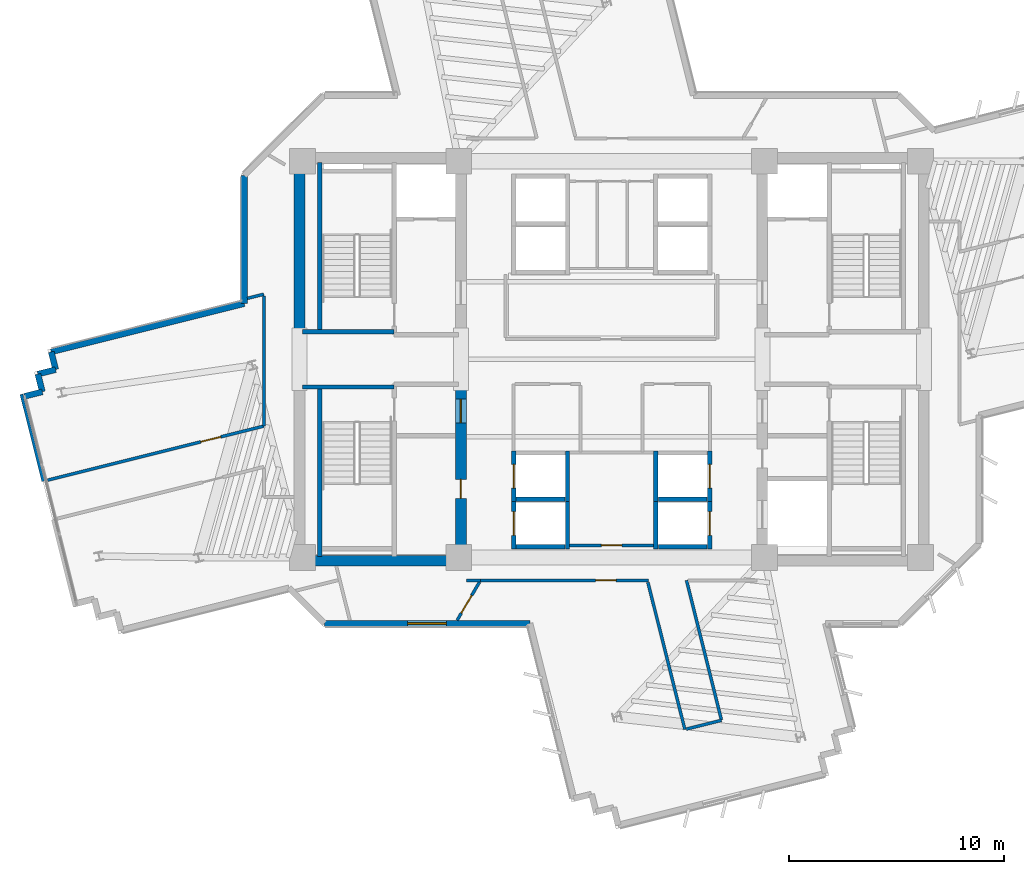
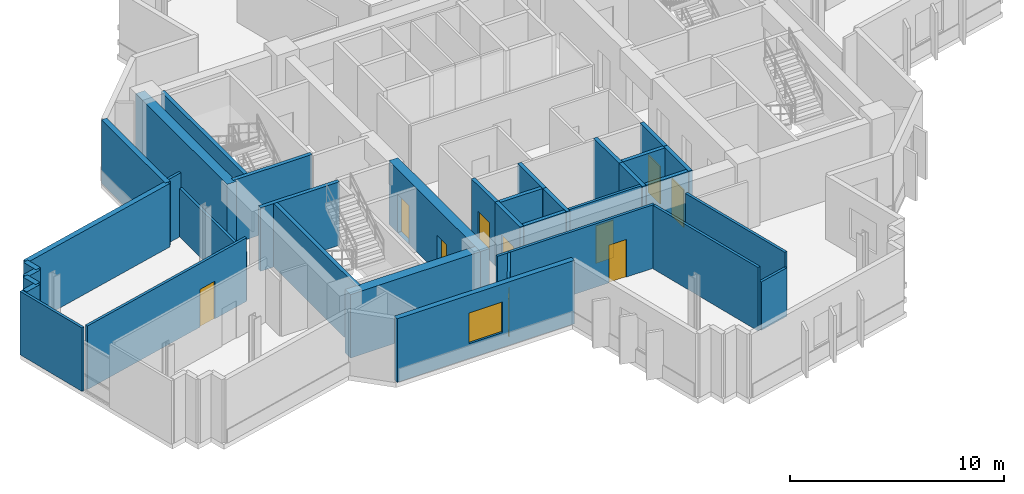
# One storey, part 6 of 13: 37 walls, 10 doors, 1 window, 11 openings.
"""IFC4 building model written with IfcOpenShell, lengths in metres."""

import ifcopenshell
import ifcopenshell.guid

model = None  # the IFC model being written
_history = None  # IfcOwnerHistory: only IFC2X3 demands one
_inside = {}  # id of a spatial element -> (the spatial element, [elements in it])
_under = {}  # id of a project, library or spatial element -> (it, [spatial elements below it])
_declared = {}  # id of a project -> (the project, [libraries it declares])
_typed = {}  # id of a type object -> (the type object, [elements of that type])
_made_of = {}  # id of a material, layer set ... -> (it, [elements and type objects made of it])


def new_model(schema):
    """Start an empty IFC model of exactly this schema.

    Asked for "IFC4X3", IfcOpenShell would pick the latest addendum, in which some entities
    have other attributes; the version numbers below select the first issue.
    IFC2X3 requires an IfcOwnerHistory on every rooted entity: one is made here for all.
    """
    global model, _history
    if schema == "IFC4X3":
        model = ifcopenshell.file(schema_version=(4, 3, 0, 0))
    else:
        model = ifcopenshell.file(schema=schema)
    _inside.clear()
    _under.clear()
    _declared.clear()
    _typed.clear()
    _made_of.clear()
    _history = None
    if model.schema == "IFC2X3":
        org = make("IfcOrganization", Name="unknown")
        user = make(
            "IfcPersonAndOrganization",
            ThePerson=make("IfcPerson", FamilyName="unknown"),
            TheOrganization=org,
        )
        app = make(
            "IfcApplication",
            ApplicationDeveloper=org,
            Version="unknown",
            ApplicationFullName="unknown",
            ApplicationIdentifier="unknown",
        )
        _history = make(
            "IfcOwnerHistory",
            OwningUser=user,
            OwningApplication=app,
            ChangeAction="ADDED",
            CreationDate=0,
        )
    return model


def make(cls, **values):
    """One entity of the class cls with the attributes given. An attribute that is None is left unset."""
    return model.create_entity(
        cls, **{name: value for name, value in values.items() if value is not None}
    )


def rooted(cls, **values):
    """An entity with a GlobalId (a new one), such as an element, a storey or a relation."""
    return make(cls, GlobalId=ifcopenshell.guid.new(), OwnerHistory=_history, **values)


def si_unit(unit_type, name, prefix=None):
    """IfcSIUnit, for example si_unit("LENGTHUNIT", "METRE", prefix="MILLI")."""
    return make("IfcSIUnit", UnitType=unit_type, Prefix=prefix, Name=name)


def assignment(units):
    """IfcUnitAssignment: the units of a project."""
    return None if units is None else make("IfcUnitAssignment", Units=units)


def point(xyz):
    """IfcCartesianPoint."""
    return None if xyz is None else make("IfcCartesianPoint", Coordinates=xyz)


def direction(xyz):
    """IfcDirection."""
    return None if xyz is None else make("IfcDirection", DirectionRatios=xyz)


def frame(location, z_axis=None, x_axis=None):
    """IfcAxis2Placement3D, a coordinate frame: its origin and axes. An axis left out is left unset."""
    return make(
        "IfcAxis2Placement3D",
        Location=point(location),
        Axis=direction(z_axis),
        RefDirection=direction(x_axis),
    )


def frame_2d(location, x_axis=None):
    """IfcAxis2Placement2D, a coordinate frame in the plane: its origin and x axis."""
    return make(
        "IfcAxis2Placement2D", Location=point(location), RefDirection=direction(x_axis)
    )


def origin():
    """The frame at (0, 0, 0) with its axes left unset."""
    return frame((0.0, 0.0, 0.0))


def place(relative_to, where):
    """IfcLocalPlacement: puts the frame where relative to a parent placement (None: the world)."""
    return make(
        "IfcLocalPlacement", PlacementRelTo=relative_to, RelativePlacement=where
    )


def context(
    kind, dimensions, precision=None, world=None, true_north=None, identifier=None
):
    """IfcGeometricRepresentationContext, for example the 3D "Model" context."""
    return make(
        "IfcGeometricRepresentationContext",
        ContextIdentifier=identifier,
        ContextType=kind,
        CoordinateSpaceDimension=dimensions,
        Precision=precision,
        WorldCoordinateSystem=world,
        TrueNorth=true_north,
    )


def subcontext(parent, identifier, kind, view, scale=None):
    """IfcGeometricRepresentationSubContext, for example "Body" below "Model"."""
    return make(
        "IfcGeometricRepresentationSubContext",
        ContextIdentifier=identifier,
        ContextType=kind,
        ParentContext=parent,
        TargetScale=scale,
        TargetView=view,
    )


def project(units=None, contexts=None):
    """IfcProject with its units and contexts."""
    return rooted(
        "IfcProject",
        Name="project",
        RepresentationContexts=contexts,
        UnitsInContext=assignment(units),
    )


def spatial(cls, under=None, at=None, **own):
    """A site, building, storey or space (cls), placed at a placement, below another one or the project."""
    s = rooted(cls, ObjectPlacement=at, **own)
    if under is not None:
        _under.setdefault(under.id(), (under, []))[1].append(s)
    return s


def profile(cls, at=None, kind="AREA", **sizes):
    """A parametric profile (cls). Its sizes go by their IFC names, for example OverallWidth=200.0."""
    return make(cls, ProfileType=kind, Position=at, **sizes)


def rectangle(**sizes):
    """IfcRectangleProfileDef."""
    return profile("IfcRectangleProfileDef", **sizes)


def extrude(swept, where, along, depth):
    """IfcExtrudedAreaSolid: the profile swept, set in the frame where, extruded along a direction by depth."""
    return make(
        "IfcExtrudedAreaSolid",
        SweptArea=swept,
        Position=where,
        ExtrudedDirection=direction(along),
        Depth=depth,
    )


def shape(context_of_items, identifier, shape_type, items):
    """IfcShapeRepresentation: the items that make up one representation, for example the "Body"."""
    return make(
        "IfcShapeRepresentation",
        ContextOfItems=context_of_items,
        RepresentationIdentifier=identifier,
        RepresentationType=shape_type,
        Items=items,
    )


def source(mapping_origin, context_of_items, identifier, shape_type, items):
    """IfcRepresentationMap: a shape defined once, which mapped items show again and again."""
    return make(
        "IfcRepresentationMap",
        MappingOrigin=mapping_origin,
        MappedRepresentation=shape(context_of_items, identifier, shape_type, items),
    )


def transform(
    local_origin,
    x_axis=None,
    y_axis=None,
    z_axis=None,
    scale=None,
    scale2=None,
    scale3=None,
    uniform=True,
):
    """IfcCartesianTransformationOperator3D, or its non-uniform kind. x_axis, y_axis, z_axis: its Axis1, 2, 3."""
    if uniform:
        return make(
            "IfcCartesianTransformationOperator3D",
            Axis1=direction(x_axis),
            Axis2=direction(y_axis),
            LocalOrigin=point(local_origin),
            Scale=scale,
            Axis3=direction(z_axis),
        )
    return make(
        "IfcCartesianTransformationOperator3DnonUniform",
        Axis1=direction(x_axis),
        Axis2=direction(y_axis),
        LocalOrigin=point(local_origin),
        Scale=scale,
        Axis3=direction(z_axis),
        Scale2=scale2,
        Scale3=scale3,
    )


def mapped(mapping_source, mapping_target):
    """IfcMappedItem: shows the shape of a source again, moved by a transform."""
    return make(
        "IfcMappedItem", MappingSource=mapping_source, MappingTarget=mapping_target
    )


def material(Name=None, Category=None):
    """IfcMaterial."""
    return make("IfcMaterial", Name=Name, Category=Category)


def layer(
    of_material, thickness, ventilated=None, Name=None, Category=None, Priority=None
):
    """IfcMaterialLayer: one layer of a wall or slab, of a material (None: an air gap)."""
    return make(
        "IfcMaterialLayer",
        Material=of_material,
        LayerThickness=thickness,
        IsVentilated=ventilated,
        Name=Name,
        Category=Category,
        Priority=Priority,
    )


def layer_set(layers, Name=None):
    """IfcMaterialLayerSet."""
    return make("IfcMaterialLayerSet", MaterialLayers=layers, LayerSetName=Name)


def made_of(thing, what):
    """Note that an element or type object is made of a material, layer set ...; save() writes the relation."""
    if what is not None:
        _made_of.setdefault(what.id(), (what, []))[1].append(thing)
    return thing


def type_object(cls, material=None, **own):
    """A type object (cls), such as IfcWallType, which elements share."""
    return made_of(rooted(cls, **own), material)


def element(
    cls,
    number,
    at=None,
    inside=None,
    cuts=None,
    type_object=None,
    material=None,
    context=None,
    identifier="Body",
    shape_type=None,
    held_by="IfcProductDefinitionShape",
    body=None,
    shapes=None,
    **own,
):
    """One element of the class cls, such as IfcWall. Its Tag is "e" and its number.

    at: its placement. inside: the storey or other place that contains it. cuts: it is an
    opening in that element (IfcRelVoidsElement). A single representation is given by context,
    identifier, shape_type and body (its items); several are given by shapes. held_by: the class
    of the entity that holds the representations. save() writes the other relations.
    """
    e = rooted(cls, Tag="e%d" % number, ObjectPlacement=at, **own)
    if body is not None:
        shapes = [shape(context, identifier, shape_type, body)]
    if shapes is not None:
        e.Representation = make(held_by, Representations=shapes)
    if inside is not None:
        _inside.setdefault(inside.id(), (inside, []))[1].append(e)
    if cuts is not None:
        rooted(
            "IfcRelVoidsElement", RelatingBuildingElement=cuts, RelatedOpeningElement=e
        )
    if type_object is not None:
        _typed.setdefault(type_object.id(), (type_object, []))[1].append(e)
    return made_of(e, material)


def fill(opening, filler):
    """IfcRelFillsElement: the door or window that sits in an opening."""
    return rooted(
        "IfcRelFillsElement",
        RelatingOpeningElement=opening,
        RelatedBuildingElement=filler,
    )


def aggregate(whole, parts):
    """IfcRelAggregates: a whole, such as a stair, and the parts it consists of."""
    return rooted("IfcRelAggregates", RelatingObject=whole, RelatedObjects=parts)


def save(model, path):
    """Write the relations noted so far, then the file.

    IfcRelAggregates (storeys below a building ...), IfcRelContainedInSpatialStructure (elements
    in a storey), IfcRelDefinesByType, IfcRelAssociatesMaterial and IfcRelDeclares: one each for
    every whole, place, type object, material and project.
    """
    for whole, parts in _under.values():
        aggregate(whole, parts)
    for where, things in _inside.values():
        rooted(
            "IfcRelContainedInSpatialStructure",
            RelatedElements=things,
            RelatingStructure=where,
        )
    for kind, things in _typed.values():
        rooted("IfcRelDefinesByType", RelatedObjects=things, RelatingType=kind)
    for what, things in _made_of.values():
        rooted("IfcRelAssociatesMaterial", RelatedObjects=things, RelatingMaterial=what)
    for by, libraries in _declared.values():
        rooted("IfcRelDeclares", RelatingContext=by, RelatedDefinitions=libraries)
    model.write(path)


model = new_model("IFC4")

# Units and contexts
model_context = context("Model", 3, precision=1e-05, world=origin(), true_north=direction((0.0, 1.0)))
body_context = subcontext(model_context, "Body", "Model", "MODEL_VIEW")
ifc_project = project(units=[si_unit("LENGTHUNIT", "METRE"), si_unit("AREAUNIT", "SQUARE_METRE"), si_unit("VOLUMEUNIT", "CUBIC_METRE"), si_unit("PLANEANGLEUNIT", "RADIAN"), si_unit("MASSUNIT", "GRAM", prefix="KILO")], contexts=[model_context])

# Site, building, storey
site_placement = place(None, origin())
site = spatial("IfcSite", under=ifc_project, at=site_placement, CompositionType="ELEMENT")
building_placement = place(site_placement, origin())
building = spatial("IfcBuilding", under=site, at=building_placement, Name="Zahravan Cultural Tower", CompositionType="ELEMENT")
storey_placement = place(building_placement, frame((0.0, 0.0, 190.199951171875)))
storey = spatial("IfcBuildingStorey", under=building, at=storey_placement, Name="L44", CompositionType="ELEMENT", Elevation=190.199951171875)

# Wall, openings, doors
ifc_material_1 = material(Name="Concrete C60/75", Category="concrete")
ifc_layer_1 = layer(ifc_material_1, 0.5)
ifc_layer_set_1 = layer_set([ifc_layer_1], Name="Concrete C60/75")
wall_type_1 = type_object("IfcWallType", Name="CW-SHEAR-500-C60", PredefinedType="SHEAR", material=ifc_layer_set_1)
wall_1_placement = place(storey_placement, frame((29.0, 17.39990234375, 0.0), z_axis=(0.0, 0.0, 1.0), x_axis=(0.0, 1.0, 0.0)))
wall_1 = element("IfcWall", 1, at=wall_1_placement, inside=storey, type_object=wall_type_1, Name="L44 Core Shear Wall CW-W-ES-L44", PredefinedType="SHEAR", context=body_context, shape_type="SweptSolid", body=[
    extrude(rectangle(XDim=8.550048828125, YDim=0.5, at=frame_2d((4.27490234375, 0.0))), origin(), (0.0, 0.0, 1.0), 3.6201171875),
])
opening_1_placement = place(wall_1_placement, frame((6.64990234375, 0.0, 0.0)))
opening_1 = element("IfcOpeningElement", 2, at=opening_1_placement, cuts=wall_1, Name="Opening D-L44-07", PredefinedType="OPENING", context=body_context, shape_type="SweptSolid", body=[
    extrude(rectangle(XDim=1.10009765625, YDim=2.199951171875, at=frame_2d((0.550048828125, 1.10009765625))), frame((0.0, 0.260009765625, 0.0), z_axis=(0.0, -1.0, 0.0), x_axis=(1.0, 0.0, 0.0)), (0.0, 0.0, 1.0), 0.52001953125),
])
opening_2_placement = place(wall_1_placement, frame((3.14990234375, 0.0, 0.0)))
opening_2 = element("IfcOpeningElement", 3, at=opening_2_placement, cuts=wall_1, Name="Opening D-L44-09", PredefinedType="OPENING", context=body_context, shape_type="SweptSolid", body=[
    extrude(rectangle(XDim=0.8798828125, YDim=2.10009765625, at=frame_2d((0.43994140625, 1.050048828125))), frame((0.0, 0.260009765625, 0.0), z_axis=(0.0, -1.0, 0.0), x_axis=(1.0, 0.0, 0.0)), (0.0, 0.0, 1.0), 0.52001953125),
])
ifc_material_2 = material(Name="Steel ASTM A572 Grade 50", Category="steel")
door_type_1 = type_object("IfcDoorType", Name="DR-LOBBY-1100", OperationType="NOTDEFINED", PredefinedType="DOOR", material=ifc_material_2)
shared_shape_1 = source(origin(), body_context, "Body", "SweptSolid", [
    extrude(rectangle(XDim=1.10009765625, YDim=2.199951171875, at=frame_2d((0.550048828125, 1.10009765625))), frame((0.0, 0.02490234375, 0.0), z_axis=(0.0, -1.0, 0.0), x_axis=(1.0, 0.0, 0.0)), (0.0, 0.0, 1.0), 0.050048828125),
])
door_1_placement = place(opening_1_placement, origin())
door_1 = element("IfcDoor", 4, at=door_1_placement, inside=storey, type_object=door_type_1, Name="L44 Door D-L44-07", OperationType="SINGLE_SWING_RIGHT", OverallHeight=2.199951171875, OverallWidth=1.10009765625, PredefinedType="DOOR", context=body_context, shape_type="MappedRepresentation", body=[
    mapped(shared_shape_1, transform((0.0, 0.0, 0.0), x_axis=(1.0, 0.0, 0.0), y_axis=(0.0, 1.0, 0.0), z_axis=(0.0, 0.0, 1.0), scale=1.0)),
])
fill(opening_1, door_1)
door_type_2 = type_object("IfcDoorType", Name="DR-SVC-880", OperationType="NOTDEFINED", PredefinedType="DOOR", material=ifc_material_2)
shared_shape_2 = source(origin(), body_context, "Body", "SweptSolid", [
    extrude(rectangle(XDim=0.8798828125, YDim=2.10009765625, at=frame_2d((0.43994140625, 1.050048828125))), frame((0.0, 0.02490234375, 0.0), z_axis=(0.0, -1.0, 0.0), x_axis=(1.0, 0.0, 0.0)), (0.0, 0.0, 1.0), 0.050048828125),
])
door_2_placement = place(opening_2_placement, origin())
door_2 = element("IfcDoor", 5, at=door_2_placement, inside=storey, type_object=door_type_2, Name="L44 Door D-L44-09", OperationType="SINGLE_SWING_RIGHT", OverallHeight=2.10009765625, OverallWidth=0.8798828125, PredefinedType="DOOR", context=body_context, shape_type="MappedRepresentation", body=[
    mapped(shared_shape_2, transform((0.0, 0.0, 0.0), x_axis=(1.0, 0.0, 0.0), y_axis=(0.0, 1.0, 0.0), z_axis=(0.0, 0.0, 1.0), scale=1.0)),
])
fill(opening_2, door_2)

# Wall, opening, window
ifc_material_3 = material(Name="Precast concrete C40/50", Category="concrete")
ifc_layer_2 = layer(ifc_material_3, 0.280029296875)
ifc_layer_set_2 = layer_set([ifc_layer_2], Name="Precast concrete C40/50")
wall_type_2 = type_object("IfcWallType", Name="EW-TC-280", PredefinedType="SOLIDWALL", material=ifc_layer_set_2)
wall_2_placement = place(storey_placement, frame((32.204833984375, 14.739990234375, 0.0), z_axis=(0.0, 0.0, 1.0), x_axis=(-1.0, 0.0, 0.0)))
wall_2 = element("IfcWall", 6, at=wall_2_placement, inside=storey, type_object=wall_type_2, Name="L44 Exterior Masonry Frame Wall 25", PredefinedType="SOLIDWALL", context=body_context, shape_type="SweptSolid", body=[
    extrude(rectangle(XDim=9.546875, YDim=0.280029296875, at=frame_2d((4.7734375, 0.0))), origin(), (0.0, 0.0, 1.0), 3.6201171875),
])
opening_3_placement = place(wall_2_placement, frame((3.873046875, 0.0, 0.85009765625)))
opening_3 = element("IfcOpeningElement", 7, at=opening_3_placement, cuts=wall_2, Name="Opening WN-02", PredefinedType="OPENING", context=body_context, shape_type="SweptSolid", body=[
    extrude(rectangle(XDim=1.800048828125, YDim=1.75, at=frame_2d((0.89990234375, 0.875))), frame((0.0, 0.14990234375, 0.0), z_axis=(0.0, -1.0, 0.0), x_axis=(1.0, 0.0, 0.0)), (0.0, 0.0, 1.0), 0.300048828125),
])
ifc_material_4 = material(Name="Low-E solar-control double glazing", Category="glass")
window_type = type_object("IfcWindowType", Name="WN-REC-1800X1750", PartitioningType="DOUBLE_PANEL_VERTICAL", PredefinedType="WINDOW", material=ifc_material_4)
shared_shape_3 = source(origin(), body_context, "Body", "SweptSolid", [
    extrude(rectangle(XDim=1.800048828125, YDim=1.75, at=frame_2d((0.89990234375, 0.875))), frame((0.0, 0.030029296875, 0.0), z_axis=(0.0, -1.0, 0.0), x_axis=(1.0, 0.0, 0.0)), (0.0, 0.0, 1.0), 0.06005859375),
])
window_placement = place(opening_3_placement, origin())
window = element("IfcWindow", 8, at=window_placement, inside=storey, type_object=window_type, Name="L44 Recessed Solar Window 08", OverallHeight=1.75, OverallWidth=1.800048828125, PartitioningType="DOUBLE_PANEL_VERTICAL", PredefinedType="WINDOW", context=body_context, shape_type="MappedRepresentation", body=[
    mapped(shared_shape_3, transform((0.0, 0.0, 0.0), x_axis=(1.0, 0.0, 0.0), y_axis=(0.0, 1.0, 0.0), z_axis=(0.0, 0.0, 1.0), scale=1.0)),
])
fill(opening_3, window)

# Wall, opening, door
ifc_material_5 = material(Name="Gypsum plasterboard partition")
ifc_layer_3 = layer(ifc_material_5, 0.139892578125)
ifc_layer_set_3 = layer_set([ifc_layer_3], Name="Gypsum plasterboard partition")
wall_type_3 = type_object("IfcWallType", Name="W-PART-140", PredefinedType="PARTITIONING", material=ifc_layer_set_3)
wall_3_placement = place(storey_placement, frame((29.8681640625, 16.6650390625, 0.0), z_axis=(0.0, 0.0, 1.0), x_axis=(-0.505011455642, -0.863112640198, 0.0)))
wall_3 = element("IfcWall", 9, at=wall_3_placement, inside=storey, type_object=wall_type_3, Name="L44 Interior Wall 072", PredefinedType="PARTITIONING", context=body_context, shape_type="SweptSolid", body=[
    extrude(rectangle(XDim=2.062255859375, YDim=0.139892578125, at=frame_2d((1.03125, 0.0))), origin(), (0.0, 0.0, 1.0), 3.6201171875),
])
opening_4_placement = place(wall_3_placement, frame((0.722900390625, 0.0, 0.0)))
opening_4 = element("IfcOpeningElement", 10, at=opening_4_placement, cuts=wall_3, Name="Opening D-L44-25", PredefinedType="OPENING", context=body_context, shape_type="SweptSolid", body=[
    extrude(rectangle(XDim=0.949951171875, YDim=2.14990234375, at=frame_2d((0.47509765625, 1.074951171875))), frame((0.0, 0.079833984375, 0.0), z_axis=(0.0, -1.0, 0.0), x_axis=(1.0, 0.0, 0.0)), (0.0, 0.0, 1.0), 0.159912109375),
])
ifc_material_6 = material(Name="Anodised bronze-aluminium mullion", Category="aluminium")
door_type_3 = type_object("IfcDoorType", Name="DR-ROOM-950", OperationType="NOTDEFINED", PredefinedType="DOOR", material=ifc_material_6)
shared_shape_4 = source(origin(), body_context, "Body", "SweptSolid", [
    extrude(rectangle(XDim=0.949951171875, YDim=2.14990234375, at=frame_2d((0.47509765625, 1.074951171875))), frame((0.0, 0.02490234375, 0.0), z_axis=(0.0, -1.0, 0.0), x_axis=(1.0, 0.0, 0.0)), (0.0, 0.0, 1.0), 0.050048828125),
])
door_3_placement = place(opening_4_placement, origin())
door_3 = element("IfcDoor", 11, at=door_3_placement, inside=storey, type_object=door_type_3, Name="L44 Door D-L44-25", OperationType="SINGLE_SWING_RIGHT", OverallHeight=2.14990234375, OverallWidth=0.949951171875, PredefinedType="DOOR", context=body_context, shape_type="MappedRepresentation", body=[
    mapped(shared_shape_4, transform((0.0, 0.0, 0.0), x_axis=(1.0, 0.0, 0.0), y_axis=(0.0, 1.0, 0.0), z_axis=(0.0, 0.0, 1.0), scale=1.0)),
])
fill(opening_4, door_3)

wall_4_placement = place(storey_placement, frame((37.945068359375, 18.360107421875, 0.0), z_axis=(0.0, 0.0, 1.0), x_axis=(-1.0, 0.0, 0.0)))
wall_4 = element("IfcWall", 12, at=wall_4_placement, inside=storey, type_object=wall_type_3, Name="L44 Interior Wall 075", PredefinedType="PARTITIONING", context=body_context, shape_type="SweptSolid", body=[
    extrude(rectangle(XDim=3.89013671875, YDim=0.139892578125, at=frame_2d((1.945068359375, 0.0))), origin(), (0.0, 0.0, 1.0), 3.6201171875),
])
opening_5_placement = place(wall_4_placement, frame((1.469970703125, 0.0, 0.0)))
opening_5 = element("IfcOpeningElement", 13, at=opening_5_placement, cuts=wall_4, Name="Opening D-L44-17", PredefinedType="OPENING", context=body_context, shape_type="SweptSolid", body=[
    extrude(rectangle(XDim=0.949951171875, YDim=2.14990234375, at=frame_2d((0.47509765625, 1.074951171875))), frame((0.0, 0.079833984375, 0.0), z_axis=(0.0, -1.0, 0.0), x_axis=(1.0, 0.0, 0.0)), (0.0, 0.0, 1.0), 0.159912109375),
])
door_4_placement = place(opening_5_placement, origin())
door_4 = element("IfcDoor", 14, at=door_4_placement, inside=storey, type_object=door_type_3, Name="L44 Door D-L44-17", OperationType="SINGLE_SWING_RIGHT", OverallHeight=2.14990234375, OverallWidth=0.949951171875, PredefinedType="DOOR", context=body_context, shape_type="MappedRepresentation", body=[
    mapped(shared_shape_4, transform((0.0, 0.0, 0.0), x_axis=(1.0, 0.0, 0.0), y_axis=(0.0, 1.0, 0.0), z_axis=(0.0, 0.0, 1.0), scale=1.0)),
])
fill(opening_5, door_4)

wall_5_placement = place(storey_placement, frame((19.85009765625, 23.90380859375, 0.0), z_axis=(0.0, 0.0, 1.0), x_axis=(-0.97004665335, -0.24291869077, 0.0)))
wall_5 = element("IfcWall", 15, at=wall_5_placement, inside=storey, type_object=wall_type_3, Name="L44 Interior Wall 096", PredefinedType="PARTITIONING", context=body_context, shape_type="SweptSolid", body=[
    extrude(rectangle(XDim=10.3466796875, YDim=0.139892578125, at=frame_2d((5.17333984375, 0.0))), origin(), (0.0, 0.0, 1.0), 3.6201171875),
])
opening_6_placement = place(wall_5_placement, frame((2.0673828125, 0.0, 0.0)))
opening_6 = element("IfcOpeningElement", 16, at=opening_6_placement, cuts=wall_5, Name="Opening D-L44-21", PredefinedType="OPENING", context=body_context, shape_type="SweptSolid", body=[
    extrude(rectangle(XDim=0.949951171875, YDim=2.14990234375, at=frame_2d((0.47509765625, 1.074951171875))), frame((0.0, 0.079833984375, 0.0), z_axis=(0.0, -1.0, 0.0), x_axis=(1.0, 0.0, 0.0)), (0.0, 0.0, 1.0), 0.159912109375),
])
door_5_placement = place(opening_6_placement, origin())
door_5 = element("IfcDoor", 17, at=door_5_placement, inside=storey, type_object=door_type_3, Name="L44 Door D-L44-21", OperationType="SINGLE_SWING_RIGHT", OverallHeight=2.14990234375, OverallWidth=0.949951171875, PredefinedType="DOOR", context=body_context, shape_type="MappedRepresentation", body=[
    mapped(shared_shape_4, transform((0.0, 0.0, 0.0), x_axis=(1.0, 0.0, 0.0), y_axis=(0.0, 1.0, 0.0), z_axis=(0.0, 0.0, 1.0), scale=1.0)),
])
fill(opening_6, door_5)

wall_6_placement = place(storey_placement, frame((29.912109375, 16.739990234375, 0.0), z_axis=(0.0, 0.0, 1.0), x_axis=(1.0, 0.0, 0.0)))
wall_6 = element("IfcWall", 18, at=wall_6_placement, inside=storey, type_object=wall_type_3, Name="L44 Interior Wall 103", PredefinedType="PARTITIONING", context=body_context, shape_type="SweptSolid", body=[
    extrude(rectangle(XDim=7.806396484375, YDim=0.139892578125, at=frame_2d((3.9033203125, 0.0))), origin(), (0.0, 0.0, 1.0), 3.6201171875),
])
opening_7_placement = place(wall_6_placement, frame((5.34814453125, 0.0, 0.0)))
opening_7 = element("IfcOpeningElement", 19, at=opening_7_placement, cuts=wall_6, Name="Opening D-L44-23", PredefinedType="OPENING", context=body_context, shape_type="SweptSolid", body=[
    extrude(rectangle(XDim=0.949951171875, YDim=2.14990234375, at=frame_2d((0.47509765625, 1.074951171875))), frame((0.0, 0.079833984375, 0.0), z_axis=(0.0, -1.0, 0.0), x_axis=(1.0, 0.0, 0.0)), (0.0, 0.0, 1.0), 0.159912109375),
])
door_6_placement = place(opening_7_placement, origin())
door_6 = element("IfcDoor", 20, at=door_6_placement, inside=storey, type_object=door_type_3, Name="L44 Door D-L44-23", OperationType="SINGLE_SWING_RIGHT", OverallHeight=2.14990234375, OverallWidth=0.949951171875, PredefinedType="DOOR", context=body_context, shape_type="MappedRepresentation", body=[
    mapped(shared_shape_4, transform((0.0, 0.0, 0.0), x_axis=(1.0, 0.0, 0.0), y_axis=(0.0, 1.0, 0.0), z_axis=(0.0, 0.0, 1.0), scale=1.0)),
])
fill(opening_7, door_6)

ifc_material_7 = material(Name="Concrete C45/55", Category="concrete")
ifc_layer_4 = layer(ifc_material_7, 0.199951171875)
ifc_layer_set_4 = layer_set([ifc_layer_4], Name="Concrete C45/55")
wall_type_4 = type_object("IfcWallType", Name="W-SHAFT-200", PredefinedType="SOLIDWALL", material=ifc_layer_set_4)
wall_7_placement = place(storey_placement, frame((31.449951171875, 20.39990234375, 0.0), z_axis=(0.0, 0.0, 1.0), x_axis=(0.0, 1.0, 0.0)))
wall_7 = element("IfcWall", 21, at=wall_7_placement, inside=storey, type_object=wall_type_4, Name="L44 Interior Wall 040", PredefinedType="SOLIDWALL", context=body_context, shape_type="SweptSolid", body=[
    extrude(rectangle(XDim=2.35009765625, YDim=0.199951171875, at=frame_2d((1.175048828125, 0.0))), origin(), (0.0, 0.0, 1.0), 3.6201171875),
])
opening_8_placement = place(wall_7_placement, frame((0.625, 0.0, 0.0)))
opening_8 = element("IfcOpeningElement", 22, at=opening_8_placement, cuts=wall_7, Name="Opening LD-L44-04", PredefinedType="OPENING", context=body_context, shape_type="SweptSolid", body=[
    extrude(rectangle(XDim=1.10009765625, YDim=2.14990234375, at=frame_2d((0.550048828125, 1.074951171875))), frame((0.0, 0.10986328125, 0.0), z_axis=(0.0, -1.0, 0.0), x_axis=(1.0, 0.0, 0.0)), (0.0, 0.0, 1.0), 0.219970703125),
])
door_type_4 = type_object("IfcDoorType", Name="DR-LIFT-1100", OperationType="DOUBLE_DOOR_SLIDING", PredefinedType="DOOR", material=ifc_material_2)
shared_shape_5 = source(origin(), body_context, "Body", "SweptSolid", [
    extrude(rectangle(XDim=1.10009765625, YDim=2.14990234375, at=frame_2d((0.550048828125, 1.074951171875))), frame((0.0, 0.02490234375, 0.0), z_axis=(0.0, -1.0, 0.0), x_axis=(1.0, 0.0, 0.0)), (0.0, 0.0, 1.0), 0.050048828125),
])
door_7_placement = place(opening_8_placement, origin())
door_7 = element("IfcDoor", 23, at=door_7_placement, inside=storey, type_object=door_type_4, Name="L44 Door LD-L44-04", OperationType="DOUBLE_DOOR_SLIDING", OverallHeight=2.14990234375, OverallWidth=1.10009765625, PredefinedType="DOOR", context=body_context, shape_type="MappedRepresentation", body=[
    mapped(shared_shape_5, transform((0.0, 0.0, 0.0), x_axis=(1.0, 0.0, 0.0), y_axis=(0.0, 1.0, 0.0), z_axis=(0.0, 0.0, 1.0), scale=1.0)),
])
fill(opening_8, door_7)

wall_8_placement = place(storey_placement, frame((31.449951171875, 18.199951171875, 0.0), z_axis=(0.0, 0.0, 1.0), x_axis=(0.0, 1.0, 0.0)))
wall_8 = element("IfcWall", 24, at=wall_8_placement, inside=storey, type_object=wall_type_4, Name="L44 Interior Wall 044", PredefinedType="SOLIDWALL", context=body_context, shape_type="SweptSolid", body=[
    extrude(rectangle(XDim=2.35009765625, YDim=0.199951171875, at=frame_2d((1.175048828125, 0.0))), origin(), (0.0, 0.0, 1.0), 3.6201171875),
])
opening_9_placement = place(wall_8_placement, frame((0.625, 0.0, 0.0)))
opening_9 = element("IfcOpeningElement", 25, at=opening_9_placement, cuts=wall_8, Name="Opening LD-L44-05", PredefinedType="OPENING", context=body_context, shape_type="SweptSolid", body=[
    extrude(rectangle(XDim=1.10009765625, YDim=2.14990234375, at=frame_2d((0.550048828125, 1.074951171875))), frame((0.0, 0.10986328125, 0.0), z_axis=(0.0, -1.0, 0.0), x_axis=(1.0, 0.0, 0.0)), (0.0, 0.0, 1.0), 0.219970703125),
])
door_8_placement = place(opening_9_placement, origin())
door_8 = element("IfcDoor", 26, at=door_8_placement, inside=storey, type_object=door_type_4, Name="L44 Door LD-L44-05", OperationType="DOUBLE_DOOR_SLIDING", OverallHeight=2.14990234375, OverallWidth=1.10009765625, PredefinedType="DOOR", context=body_context, shape_type="MappedRepresentation", body=[
    mapped(shared_shape_5, transform((0.0, 0.0, 0.0), x_axis=(1.0, 0.0, 0.0), y_axis=(0.0, 1.0, 0.0), z_axis=(0.0, 0.0, 1.0), scale=1.0)),
])
fill(opening_9, door_8)

wall_9_placement = place(storey_placement, frame((40.550048828125, 20.39990234375, 0.0), z_axis=(0.0, 0.0, 1.0), x_axis=(0.0, 1.0, 0.0)))
wall_9 = element("IfcWall", 27, at=wall_9_placement, inside=storey, type_object=wall_type_4, Name="L44 Interior Wall 048", PredefinedType="SOLIDWALL", context=body_context, shape_type="SweptSolid", body=[
    extrude(rectangle(XDim=2.35009765625, YDim=0.199951171875, at=frame_2d((1.175048828125, 0.0))), origin(), (0.0, 0.0, 1.0), 3.6201171875),
])
opening_10_placement = place(wall_9_placement, frame((0.625, 0.0, 0.0)))
opening_10 = element("IfcOpeningElement", 28, at=opening_10_placement, cuts=wall_9, Name="Opening LD-L44-06", PredefinedType="OPENING", context=body_context, shape_type="SweptSolid", body=[
    extrude(rectangle(XDim=1.10009765625, YDim=2.14990234375, at=frame_2d((0.550048828125, 1.074951171875))), frame((0.0, 0.10986328125, 0.0), z_axis=(0.0, -1.0, 0.0), x_axis=(1.0, 0.0, 0.0)), (0.0, 0.0, 1.0), 0.219970703125),
])
door_9_placement = place(opening_10_placement, origin())
door_9 = element("IfcDoor", 29, at=door_9_placement, inside=storey, type_object=door_type_4, Name="L44 Door LD-L44-06", OperationType="DOUBLE_DOOR_SLIDING", OverallHeight=2.14990234375, OverallWidth=1.10009765625, PredefinedType="DOOR", context=body_context, shape_type="MappedRepresentation", body=[
    mapped(shared_shape_5, transform((0.0, 0.0, 0.0), x_axis=(1.0, 0.0, 0.0), y_axis=(0.0, 1.0, 0.0), z_axis=(0.0, 0.0, 1.0), scale=1.0)),
])
fill(opening_10, door_9)

wall_10_placement = place(storey_placement, frame((40.550048828125, 18.199951171875, 0.0), z_axis=(0.0, 0.0, 1.0), x_axis=(0.0, 1.0, 0.0)))
wall_10 = element("IfcWall", 30, at=wall_10_placement, inside=storey, type_object=wall_type_4, Name="L44 Interior Wall 052", PredefinedType="SOLIDWALL", context=body_context, shape_type="SweptSolid", body=[
    extrude(rectangle(XDim=2.35009765625, YDim=0.199951171875, at=frame_2d((1.175048828125, 0.0))), origin(), (0.0, 0.0, 1.0), 3.6201171875),
])
opening_11_placement = place(wall_10_placement, frame((0.625, 0.0, 0.0)))
opening_11 = element("IfcOpeningElement", 31, at=opening_11_placement, cuts=wall_10, Name="Opening LD-L44-07", PredefinedType="OPENING", context=body_context, shape_type="SweptSolid", body=[
    extrude(rectangle(XDim=1.10009765625, YDim=2.14990234375, at=frame_2d((0.550048828125, 1.074951171875))), frame((0.0, 0.10986328125, 0.0), z_axis=(0.0, -1.0, 0.0), x_axis=(1.0, 0.0, 0.0)), (0.0, 0.0, 1.0), 0.219970703125),
])
door_10_placement = place(opening_11_placement, origin())
door_10 = element("IfcDoor", 32, at=door_10_placement, inside=storey, type_object=door_type_4, Name="L44 Door LD-L44-07", OperationType="DOUBLE_DOOR_SLIDING", OverallHeight=2.14990234375, OverallWidth=1.10009765625, PredefinedType="DOOR", context=body_context, shape_type="MappedRepresentation", body=[
    mapped(shared_shape_5, transform((0.0, 0.0, 0.0), x_axis=(1.0, 0.0, 0.0), y_axis=(0.0, 1.0, 0.0), z_axis=(0.0, 0.0, 1.0), scale=1.0)),
])
fill(opening_11, door_10)

# Walls
shared_shape_6 = source(origin(), body_context, "Body", "SweptSolid", [
    extrude(rectangle(XDim=8.550048828125, YDim=0.5, at=frame_2d((4.27490234375, 0.0))), origin(), (0.0, 0.0, 1.0), 3.6201171875),
])
wall_11_placement = place(storey_placement, frame((21.5, 28.050048828125, 0.0), z_axis=(0.0, 0.0, 1.0), x_axis=(0.0, 1.0, 0.0)))
element("IfcWall", 33, at=wall_11_placement, inside=storey, type_object=wall_type_1, Name="L44 Core Shear Wall CW-W-WN-L44", PredefinedType="SHEAR", context=body_context, shape_type="MappedRepresentation", body=[
    mapped(shared_shape_6, transform((0.0, 0.0, 0.0), x_axis=(1.0, 0.0, 0.0), y_axis=(0.0, 1.0, 0.0), z_axis=(0.0, 0.0, 1.0), scale=1.0)),
])
shared_shape_7 = source(origin(), body_context, "Body", "SweptSolid", [
    extrude(rectangle(XDim=7.0, YDim=0.5, at=frame_2d((3.5, 0.0))), origin(), (0.0, 0.0, 1.0), 3.6201171875),
])
wall_12_placement = place(storey_placement, frame((21.75, 17.64990234375, 0.0), z_axis=(0.0, 0.0, 1.0), x_axis=(1.0, 0.0, 0.0)))
element("IfcWall", 34, at=wall_12_placement, inside=storey, type_object=wall_type_1, Name="L44 Core Shear Wall CW-W-S-L44", PredefinedType="SHEAR", context=body_context, shape_type="MappedRepresentation", body=[
    mapped(shared_shape_7, transform((0.0, 0.0, 0.0), x_axis=(1.0, 0.0, 0.0), y_axis=(0.0, 1.0, 0.0), z_axis=(0.0, 0.0, 1.0), scale=1.0)),
])
shared_shape_8 = source(origin(), body_context, "Body", "SweptSolid", [
    extrude(rectangle(XDim=0.85009765625, YDim=0.280029296875, at=frame_2d((0.425048828125, 0.0))), origin(), (0.0, 0.0, 1.0), 3.6201171875),
])
wall_13_placement = place(storey_placement, frame((9.357666015625, 26.317138671875, 0.0), z_axis=(0.0, 0.0, 1.0), x_axis=(0.970041063326, 0.242941012307, 0.0)))
element("IfcWall", 35, at=wall_13_placement, inside=storey, type_object=wall_type_2, Name="L44 Exterior Masonry Frame Wall 34", PredefinedType="SOLIDWALL", context=body_context, shape_type="MappedRepresentation", body=[
    mapped(shared_shape_8, transform((0.0, 0.0, 0.0), x_axis=(1.0, 0.0, 0.0), y_axis=(0.0, 1.0, 0.0), z_axis=(0.0, 0.0, 1.0), scale=1.0)),
])
shared_shape_9 = source(origin(), body_context, "Body", "SweptSolid", [
    extrude(rectangle(XDim=0.849853515625, YDim=0.280029296875, at=frame_2d((0.4248046875, 0.0))), origin(), (0.0, 0.0, 1.0), 3.6201171875),
])
for number, where, z_axis, x_axis, name in (
    (36, (8.73974609375, 25.2861328125, 0.0), (0.0, 0.0, 1.0), (0.970024107708, 0.243008704507, 0.0), "L44 Exterior Masonry Frame Wall 32"),
    (37, (9.564208984375, 25.49267578125, 0.0), (0.0, 0.0, 1.0), (-0.243008704507, 0.970024107708, 0.0), "L44 Exterior Masonry Frame Wall 33"),
    (38, (10.182373046875, 26.523681640625, 0.0), (0.0, 0.0, 1.0), (-0.243008704507, 0.970024107708, 0.0), "L44 Exterior Masonry Frame Wall 35"),
):
    element("IfcWall", number, at=place(storey_placement, frame(where, z_axis=z_axis, x_axis=x_axis)), inside=storey, type_object=wall_type_2, Name=name, PredefinedType="SOLIDWALL", context=body_context, shape_type="MappedRepresentation", body=[
        mapped(shared_shape_9, transform((0.0, 0.0, 0.0), x_axis=(1.0, 0.0, 0.0), y_axis=(0.0, 1.0, 0.0), z_axis=(0.0, 0.0, 1.0), scale=1.0)),
    ])
shared_shape_10 = source(origin(), body_context, "Body", "SweptSolid", [
    extrude(rectangle(XDim=5.948974609375, YDim=0.280029296875, at=frame_2d((2.974609375, 0.0))), origin(), (0.0, 0.0, 1.0), 3.6201171875),
])
wall_14_placement = place(storey_placement, frame((18.93994140625, 29.593017578125, 0.0), z_axis=(0.0, 0.0, 1.0), x_axis=(0.0, 1.0, 0.0)))
element("IfcWall", 39, at=wall_14_placement, inside=storey, type_object=wall_type_2, Name="L44 Exterior Masonry Frame Wall 37", PredefinedType="SOLIDWALL", context=body_context, shape_type="MappedRepresentation", body=[
    mapped(shared_shape_10, transform((0.0, 0.0, 0.0), x_axis=(1.0, 0.0, 0.0), y_axis=(0.0, 1.0, 0.0), z_axis=(0.0, 0.0, 1.0), scale=1.0)),
])
shared_shape_11 = source(origin(), body_context, "Body", "SweptSolid", [
    extrude(rectangle(XDim=9.240966796875, YDim=0.280029296875, at=frame_2d((4.62060546875, 0.0))), origin(), (0.0, 0.0, 1.0), 3.6201171875),
])
wall_15_placement = place(storey_placement, frame((9.975830078125, 27.34814453125, 0.0), z_axis=(0.0, 0.0, 1.0), x_axis=(0.970044513566, 0.242927235402, 0.0)))
element("IfcWall", 40, at=wall_15_placement, inside=storey, type_object=wall_type_2, Name="L44 Exterior Masonry Frame Wall 36", PredefinedType="SOLIDWALL", context=body_context, shape_type="MappedRepresentation", body=[
    mapped(shared_shape_11, transform((0.0, 0.0, 0.0), x_axis=(1.0, 0.0, 0.0), y_axis=(0.0, 1.0, 0.0), z_axis=(0.0, 0.0, 1.0), scale=1.0)),
])
shared_shape_12 = source(origin(), body_context, "Body", "SweptSolid", [
    extrude(rectangle(XDim=7.869873046875, YDim=0.199951171875, at=frame_2d((3.93505859375, 0.0))), origin(), (0.0, 0.0, 1.0), 3.6201171875),
])
for number, where, z_axis, x_axis, name in (
    (41, (22.449951171875, 17.85009765625, 0.0), (0.0, 0.0, 1.0), (0.0, 1.0, 0.0), "L44 Interior Wall 001"),
    (42, (22.449951171875, 28.280029296875, 0.0), (0.0, 0.0, 1.0), (0.0, 1.0, 0.0), "L44 Interior Wall 002"),
):
    element("IfcWall", number, at=place(storey_placement, frame(where, z_axis=z_axis, x_axis=x_axis)), inside=storey, type_object=wall_type_4, Name=name, PredefinedType="SOLIDWALL", context=body_context, shape_type="MappedRepresentation", body=[
        mapped(shared_shape_12, transform((0.0, 0.0, 0.0), x_axis=(1.0, 0.0, 0.0), y_axis=(0.0, 1.0, 0.0), z_axis=(0.0, 0.0, 1.0), scale=1.0)),
    ])
shared_shape_13 = source(origin(), body_context, "Body", "SweptSolid", [
    extrude(rectangle(XDim=4.25, YDim=0.199951171875, at=frame_2d((2.125, 0.0))), origin(), (0.0, 0.0, 1.0), 3.6201171875),
])
for number, where, z_axis, x_axis, name in (
    (43, (21.64990234375, 25.715087890625, 0.0), (0.0, 0.0, 1.0), (1.0, 0.0, 0.0), "L44 Interior Wall 009"),
    (44, (21.64990234375, 28.284912109375, 0.0), (0.0, 0.0, 1.0), (1.0, 0.0, 0.0), "L44 Interior Wall 011"),
):
    element("IfcWall", number, at=place(storey_placement, frame(where, z_axis=z_axis, x_axis=x_axis)), inside=storey, type_object=wall_type_4, Name=name, PredefinedType="SOLIDWALL", context=body_context, shape_type="MappedRepresentation", body=[
        mapped(shared_shape_13, transform((0.0, 0.0, 0.0), x_axis=(1.0, 0.0, 0.0), y_axis=(0.0, 1.0, 0.0), z_axis=(0.0, 0.0, 1.0), scale=1.0)),
    ])
shared_shape_14 = source(origin(), body_context, "Body", "SweptSolid", [
    extrude(rectangle(XDim=2.260009765625, YDim=0.199951171875, at=frame_2d((1.1298828125, 0.0))), origin(), (0.0, 0.0, 1.0), 3.6201171875),
])
for number, where, z_axis, x_axis, name in (
    (45, (31.570068359375, 20.5, 0.0), (0.0, 0.0, 1.0), (1.0, 0.0, 0.0), "L44 Interior Wall 042"),
    (46, (31.570068359375, 18.300048828125, 0.0), (0.0, 0.0, 1.0), (1.0, 0.0, 0.0), "L44 Interior Wall 046"),
    (47, (38.169921875, 20.5, 0.0), (0.0, 0.0, 1.0), (1.0, 0.0, 0.0), "L44 Interior Wall 049"),
    (48, (38.169921875, 18.300048828125, 0.0), (0.0, 0.0, 1.0), (1.0, 0.0, 0.0), "L44 Interior Wall 053"),
):
    element("IfcWall", number, at=place(storey_placement, frame(where, z_axis=z_axis, x_axis=x_axis)), inside=storey, type_object=wall_type_4, Name=name, PredefinedType="SOLIDWALL", context=body_context, shape_type="MappedRepresentation", body=[
        mapped(shared_shape_14, transform((0.0, 0.0, 0.0), x_axis=(1.0, 0.0, 0.0), y_axis=(0.0, 1.0, 0.0), z_axis=(0.0, 0.0, 1.0), scale=1.0)),
    ])
shared_shape_15 = source(origin(), body_context, "Body", "SweptSolid", [
    extrude(rectangle(XDim=2.35009765625, YDim=0.199951171875, at=frame_2d((1.175048828125, 0.0))), origin(), (0.0, 0.0, 1.0), 3.6201171875),
])
for number, where, z_axis, x_axis, name in (
    (49, (33.949951171875, 20.39990234375, 0.0), (0.0, 0.0, 1.0), (0.0, 1.0, 0.0), "L44 Interior Wall 041"),
    (50, (33.949951171875, 18.199951171875, 0.0), (0.0, 0.0, 1.0), (0.0, 1.0, 0.0), "L44 Interior Wall 045"),
    (51, (38.050048828125, 20.39990234375, 0.0), (0.0, 0.0, 1.0), (0.0, 1.0, 0.0), "L44 Interior Wall 047"),
    (52, (38.050048828125, 18.199951171875, 0.0), (0.0, 0.0, 1.0), (0.0, 1.0, 0.0), "L44 Interior Wall 051"),
):
    element("IfcWall", number, at=place(storey_placement, frame(where, z_axis=z_axis, x_axis=x_axis)), inside=storey, type_object=wall_type_4, Name=name, PredefinedType="SOLIDWALL", context=body_context, shape_type="MappedRepresentation", body=[
        mapped(shared_shape_15, transform((0.0, 0.0, 0.0), x_axis=(1.0, 0.0, 0.0), y_axis=(0.0, 1.0, 0.0), z_axis=(0.0, 0.0, 1.0), scale=1.0)),
    ])
shared_shape_16 = source(origin(), body_context, "Body", "SweptSolid", [
    extrude(rectangle(XDim=4.16015625, YDim=0.139892578125, at=frame_2d((2.080078125, 0.0))), origin(), (0.0, 0.0, 1.0), 3.6201171875),
])
wall_16_placement = place(storey_placement, frame((9.604736328125, 21.337890625, 0.0), z_axis=(0.0, 0.0, 1.0), x_axis=(-0.242963670411, 0.970035388458, 0.0)))
element("IfcWall", 53, at=wall_16_placement, inside=storey, type_object=wall_type_3, Name="L44 Interior Wall 093", PredefinedType="PARTITIONING", context=body_context, shape_type="MappedRepresentation", body=[
    mapped(shared_shape_16, transform((0.0, 0.0, 0.0), x_axis=(1.0, 0.0, 0.0), y_axis=(0.0, 1.0, 0.0), z_axis=(0.0, 0.0, 1.0), scale=1.0)),
])
shared_shape_17 = source(origin(), body_context, "Body", "SweptSolid", [
    extrude(rectangle(XDim=0.65869140625, YDim=0.139892578125, at=frame_2d((0.329345703125, 0.0))), origin(), (0.0, 0.0, 1.0), 3.6201171875),
])
wall_17_placement = place(storey_placement, frame((29.25341796875, 16.740478515625, 0.0), z_axis=(0.0, 0.0, 1.0), x_axis=(0.999999725245, -0.000741289641, 0.0)))
element("IfcWall", 54, at=wall_17_placement, inside=storey, type_object=wall_type_3, Name="L44 Interior Wall 071", PredefinedType="PARTITIONING", context=body_context, shape_type="MappedRepresentation", body=[
    mapped(shared_shape_17, transform((0.0, 0.0, 0.0), x_axis=(1.0, 0.0, 0.0), y_axis=(0.0, 1.0, 0.0), z_axis=(0.0, 0.0, 1.0), scale=1.0)),
])
shared_shape_18 = source(origin(), body_context, "Body", "SweptSolid", [
    extrude(rectangle(XDim=0.788818359375, YDim=0.139892578125, at=frame_2d((0.39453125, 0.0))), origin(), (0.0, 0.0, 1.0), 3.6201171875),
])
wall_18_placement = place(storey_placement, frame((19.0849609375, 29.835693359375, 0.0), z_axis=(0.0, 0.0, 1.0), x_axis=(0.970033159667, 0.242972568711, 0.0)))
element("IfcWall", 55, at=wall_18_placement, inside=storey, type_object=wall_type_3, Name="L44 Interior Wall 094", PredefinedType="PARTITIONING", context=body_context, shape_type="MappedRepresentation", body=[
    mapped(shared_shape_18, transform((0.0, 0.0, 0.0), x_axis=(1.0, 0.0, 0.0), y_axis=(0.0, 1.0, 0.0), z_axis=(0.0, 0.0, 1.0), scale=1.0)),
])
shared_shape_19 = source(origin(), body_context, "Body", "SweptSolid", [
    extrude(rectangle(XDim=7.04296875, YDim=0.139892578125, at=frame_2d((3.521484375, 0.0))), origin(), (0.0, 0.0, 1.0), 3.6201171875),
])
wall_19_placement = place(storey_placement, frame((37.6865234375, 16.6435546875, 0.0), z_axis=(0.0, 0.0, 1.0), x_axis=(0.243587652837, -0.969878886968, 0.0)))
element("IfcWall", 56, at=wall_19_placement, inside=storey, type_object=wall_type_3, Name="L44 Interior Wall 104", PredefinedType="PARTITIONING", context=body_context, shape_type="MappedRepresentation", body=[
    mapped(shared_shape_19, transform((0.0, 0.0, 0.0), x_axis=(1.0, 0.0, 0.0), y_axis=(0.0, 1.0, 0.0), z_axis=(0.0, 0.0, 1.0), scale=1.0)),
])
shared_shape_20 = source(origin(), body_context, "Body", "SweptSolid", [
    extrude(rectangle(XDim=6.68359375, YDim=0.139892578125, at=frame_2d((3.341796875, 0.0))), origin(), (0.0, 0.0, 1.0), 3.6201171875),
])
wall_20_placement = place(storey_placement, frame((41.097900390625, 10.255859375, 0.0), z_axis=(0.0, 0.0, 1.0), x_axis=(-0.24254421979, 0.970140351416, 0.0)))
element("IfcWall", 57, at=wall_20_placement, inside=storey, type_object=wall_type_3, Name="L44 Interior Wall 106", PredefinedType="PARTITIONING", context=body_context, shape_type="MappedRepresentation", body=[
    mapped(shared_shape_20, transform((0.0, 0.0, 0.0), x_axis=(1.0, 0.0, 0.0), y_axis=(0.0, 1.0, 0.0), z_axis=(0.0, 0.0, 1.0), scale=1.0)),
])
shared_shape_21 = source(origin(), body_context, "Body", "SweptSolid", [
    extrude(rectangle(XDim=1.677734375, YDim=0.139892578125, at=frame_2d((0.8388671875, 0.0))), origin(), (0.0, 0.0, 1.0), 2.761962890625),
])
wall_21_placement = place(storey_placement, frame((39.474853515625, 9.8310546875, 0.0), z_axis=(0.0, 0.0, 1.0), x_axis=(0.969799114262, 0.243905059349, 0.0)))
element("IfcWall", 58, at=wall_21_placement, inside=storey, type_object=wall_type_3, Name="L44 Interior Wall 105", PredefinedType="PARTITIONING", context=body_context, shape_type="MappedRepresentation", body=[
    mapped(shared_shape_21, transform((0.0, 0.0, 0.0), x_axis=(1.0, 0.0, 0.0), y_axis=(0.0, 1.0, 0.0), z_axis=(0.0, 0.0, 1.0), scale=1.0)),
])
shared_shape_22 = source(origin(), body_context, "Body", "SweptSolid", [
    extrude(rectangle(XDim=6.046142578125, YDim=0.139892578125, at=frame_2d((3.02294921875, 0.0))), origin(), (0.0, 0.0, 1.0), 2.76611328125),
])
wall_22_placement = place(storey_placement, frame((19.85009765625, 29.949951171875, 0.0), z_axis=(0.0, 0.0, 1.0), x_axis=(0.0, -1.0, 0.0)))
element("IfcWall", 59, at=wall_22_placement, inside=storey, type_object=wall_type_3, Name="L44 Interior Wall 095", PredefinedType="PARTITIONING", context=body_context, shape_type="MappedRepresentation", body=[
    mapped(shared_shape_22, transform((0.0, 0.0, 0.0), x_axis=(1.0, 0.0, 0.0), y_axis=(0.0, 1.0, 0.0), z_axis=(0.0, 0.0, 1.0), scale=1.0)),
])

save(model, "model.ifc")
